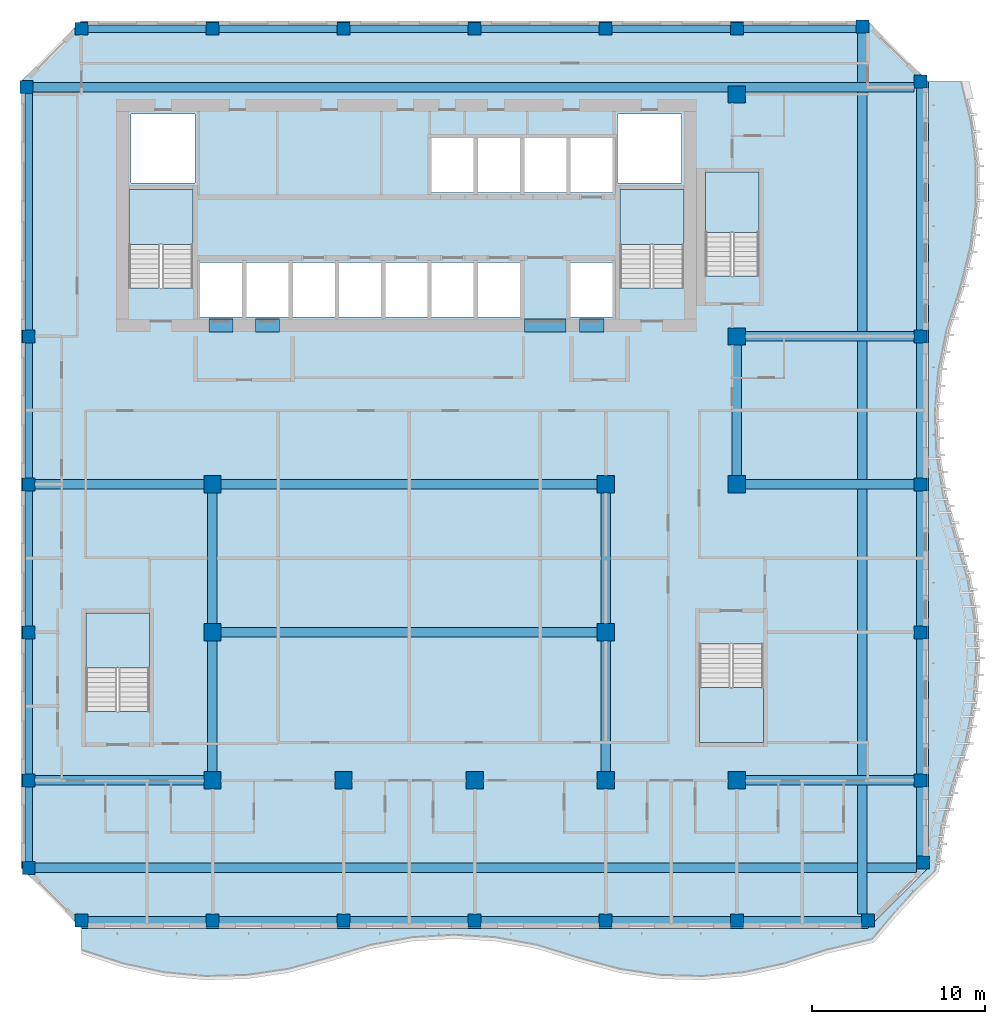
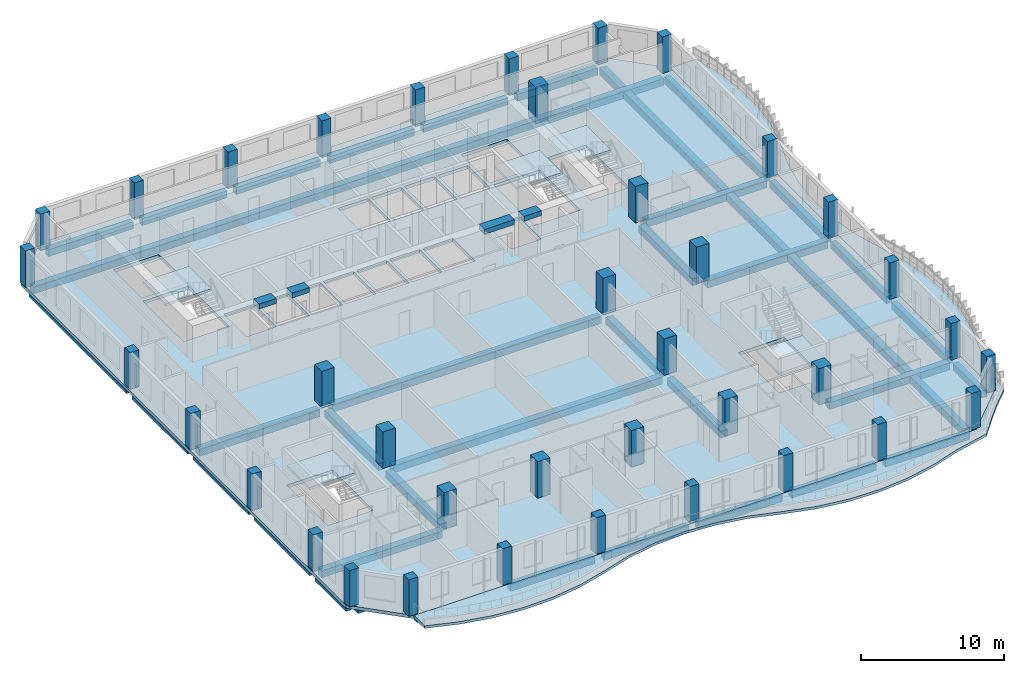
# One storey, part 1 of 22: 41 beams, 38 columns, 7 slabs, 5 elements without a shape of their own.
"""IFC4 building model written with IfcOpenShell, lengths in metres."""

import ifcopenshell
import ifcopenshell.guid

model = None  # the IFC model being written
_history = None  # IfcOwnerHistory: only IFC2X3 demands one
_inside = {}  # id of a spatial element -> (the spatial element, [elements in it])
_under = {}  # id of a project, library or spatial element -> (it, [spatial elements below it])
_declared = {}  # id of a project -> (the project, [libraries it declares])
_typed = {}  # id of a type object -> (the type object, [elements of that type])
_made_of = {}  # id of a material, layer set ... -> (it, [elements and type objects made of it])


def new_model(schema):
    """Start an empty IFC model of exactly this schema.

    Asked for "IFC4X3", IfcOpenShell would pick the latest addendum, in which some entities
    have other attributes; the version numbers below select the first issue.
    IFC2X3 requires an IfcOwnerHistory on every rooted entity: one is made here for all.
    """
    global model, _history
    if schema == "IFC4X3":
        model = ifcopenshell.file(schema_version=(4, 3, 0, 0))
    else:
        model = ifcopenshell.file(schema=schema)
    _inside.clear()
    _under.clear()
    _declared.clear()
    _typed.clear()
    _made_of.clear()
    _history = None
    if model.schema == "IFC2X3":
        org = make("IfcOrganization", Name="unknown")
        user = make(
            "IfcPersonAndOrganization",
            ThePerson=make("IfcPerson", FamilyName="unknown"),
            TheOrganization=org,
        )
        app = make(
            "IfcApplication",
            ApplicationDeveloper=org,
            Version="unknown",
            ApplicationFullName="unknown",
            ApplicationIdentifier="unknown",
        )
        _history = make(
            "IfcOwnerHistory",
            OwningUser=user,
            OwningApplication=app,
            ChangeAction="ADDED",
            CreationDate=0,
        )
    return model


def make(cls, **values):
    """One entity of the class cls with the attributes given. An attribute that is None is left unset."""
    return model.create_entity(
        cls, **{name: value for name, value in values.items() if value is not None}
    )


def rooted(cls, **values):
    """An entity with a GlobalId (a new one), such as an element, a storey or a relation."""
    return make(cls, GlobalId=ifcopenshell.guid.new(), OwnerHistory=_history, **values)


def si_unit(unit_type, name, prefix=None):
    """IfcSIUnit, for example si_unit("LENGTHUNIT", "METRE", prefix="MILLI")."""
    return make("IfcSIUnit", UnitType=unit_type, Prefix=prefix, Name=name)


def assignment(units):
    """IfcUnitAssignment: the units of a project."""
    return None if units is None else make("IfcUnitAssignment", Units=units)


def point(xyz):
    """IfcCartesianPoint."""
    return None if xyz is None else make("IfcCartesianPoint", Coordinates=xyz)


def direction(xyz):
    """IfcDirection."""
    return None if xyz is None else make("IfcDirection", DirectionRatios=xyz)


def frame(location, z_axis=None, x_axis=None):
    """IfcAxis2Placement3D, a coordinate frame: its origin and axes. An axis left out is left unset."""
    return make(
        "IfcAxis2Placement3D",
        Location=point(location),
        Axis=direction(z_axis),
        RefDirection=direction(x_axis),
    )


def frame_2d(location, x_axis=None):
    """IfcAxis2Placement2D, a coordinate frame in the plane: its origin and x axis."""
    return make(
        "IfcAxis2Placement2D", Location=point(location), RefDirection=direction(x_axis)
    )


def origin():
    """The frame at (0, 0, 0) with its axes left unset."""
    return frame((0.0, 0.0, 0.0))


def origin_2d():
    """The frame at (0, 0) in the plane with its x axis left unset."""
    return frame_2d((0.0, 0.0))


def place(relative_to, where):
    """IfcLocalPlacement: puts the frame where relative to a parent placement (None: the world)."""
    return make(
        "IfcLocalPlacement", PlacementRelTo=relative_to, RelativePlacement=where
    )


def context(
    kind, dimensions, precision=None, world=None, true_north=None, identifier=None
):
    """IfcGeometricRepresentationContext, for example the 3D "Model" context."""
    return make(
        "IfcGeometricRepresentationContext",
        ContextIdentifier=identifier,
        ContextType=kind,
        CoordinateSpaceDimension=dimensions,
        Precision=precision,
        WorldCoordinateSystem=world,
        TrueNorth=true_north,
    )


def subcontext(parent, identifier, kind, view, scale=None):
    """IfcGeometricRepresentationSubContext, for example "Body" below "Model"."""
    return make(
        "IfcGeometricRepresentationSubContext",
        ContextIdentifier=identifier,
        ContextType=kind,
        ParentContext=parent,
        TargetScale=scale,
        TargetView=view,
    )


def project(units=None, contexts=None):
    """IfcProject with its units and contexts."""
    return rooted(
        "IfcProject",
        Name="project",
        RepresentationContexts=contexts,
        UnitsInContext=assignment(units),
    )


def spatial(cls, under=None, at=None, **own):
    """A site, building, storey or space (cls), placed at a placement, below another one or the project."""
    s = rooted(cls, ObjectPlacement=at, **own)
    if under is not None:
        _under.setdefault(under.id(), (under, []))[1].append(s)
    return s


def polyline(points):
    """IfcPolyline through the points."""
    return make("IfcPolyline", Points=[point(p) for p in points])


def profile(cls, at=None, kind="AREA", **sizes):
    """A parametric profile (cls). Its sizes go by their IFC names, for example OverallWidth=200.0."""
    return make(cls, ProfileType=kind, Position=at, **sizes)


def rectangle(**sizes):
    """IfcRectangleProfileDef."""
    return profile("IfcRectangleProfileDef", **sizes)


def outline(outer, holes=None, kind="AREA"):
    """IfcArbitraryClosedProfileDef: a profile drawn as a closed curve; with holes, ...WithVoids."""
    if holes is None:
        return make("IfcArbitraryClosedProfileDef", ProfileType=kind, OuterCurve=outer)
    return make(
        "IfcArbitraryProfileDefWithVoids",
        ProfileType=kind,
        OuterCurve=outer,
        InnerCurves=holes,
    )


def extrude(swept, where, along, depth):
    """IfcExtrudedAreaSolid: the profile swept, set in the frame where, extruded along a direction by depth."""
    return make(
        "IfcExtrudedAreaSolid",
        SweptArea=swept,
        Position=where,
        ExtrudedDirection=direction(along),
        Depth=depth,
    )


def shape(context_of_items, identifier, shape_type, items):
    """IfcShapeRepresentation: the items that make up one representation, for example the "Body"."""
    return make(
        "IfcShapeRepresentation",
        ContextOfItems=context_of_items,
        RepresentationIdentifier=identifier,
        RepresentationType=shape_type,
        Items=items,
    )


def source(mapping_origin, context_of_items, identifier, shape_type, items):
    """IfcRepresentationMap: a shape defined once, which mapped items show again and again."""
    return make(
        "IfcRepresentationMap",
        MappingOrigin=mapping_origin,
        MappedRepresentation=shape(context_of_items, identifier, shape_type, items),
    )


def transform(
    local_origin,
    x_axis=None,
    y_axis=None,
    z_axis=None,
    scale=None,
    scale2=None,
    scale3=None,
    uniform=True,
):
    """IfcCartesianTransformationOperator3D, or its non-uniform kind. x_axis, y_axis, z_axis: its Axis1, 2, 3."""
    if uniform:
        return make(
            "IfcCartesianTransformationOperator3D",
            Axis1=direction(x_axis),
            Axis2=direction(y_axis),
            LocalOrigin=point(local_origin),
            Scale=scale,
            Axis3=direction(z_axis),
        )
    return make(
        "IfcCartesianTransformationOperator3DnonUniform",
        Axis1=direction(x_axis),
        Axis2=direction(y_axis),
        LocalOrigin=point(local_origin),
        Scale=scale,
        Axis3=direction(z_axis),
        Scale2=scale2,
        Scale3=scale3,
    )


def mapped(mapping_source, mapping_target):
    """IfcMappedItem: shows the shape of a source again, moved by a transform."""
    return make(
        "IfcMappedItem", MappingSource=mapping_source, MappingTarget=mapping_target
    )


def material(Name=None, Category=None):
    """IfcMaterial."""
    return make("IfcMaterial", Name=Name, Category=Category)


def layer(
    of_material, thickness, ventilated=None, Name=None, Category=None, Priority=None
):
    """IfcMaterialLayer: one layer of a wall or slab, of a material (None: an air gap)."""
    return make(
        "IfcMaterialLayer",
        Material=of_material,
        LayerThickness=thickness,
        IsVentilated=ventilated,
        Name=Name,
        Category=Category,
        Priority=Priority,
    )


def layer_set(layers, Name=None):
    """IfcMaterialLayerSet."""
    return make("IfcMaterialLayerSet", MaterialLayers=layers, LayerSetName=Name)


def material_profile(
    of_material, cross_section, Name=None, Category=None, Priority=None
):
    """IfcMaterialProfile: a cross section and its material."""
    return make(
        "IfcMaterialProfile",
        Name=Name,
        Material=of_material,
        Profile=cross_section,
        Priority=Priority,
        Category=Category,
    )


def profile_set(profiles, Name=None, composite=None):
    """IfcMaterialProfileSet."""
    return make(
        "IfcMaterialProfileSet",
        Name=Name,
        MaterialProfiles=profiles,
        CompositeProfile=composite,
    )


def made_of(thing, what):
    """Note that an element or type object is made of a material, layer set ...; save() writes the relation."""
    if what is not None:
        _made_of.setdefault(what.id(), (what, []))[1].append(thing)
    return thing


def type_object(cls, material=None, **own):
    """A type object (cls), such as IfcWallType, which elements share."""
    return made_of(rooted(cls, **own), material)


def element(
    cls,
    number,
    at=None,
    inside=None,
    cuts=None,
    type_object=None,
    material=None,
    context=None,
    identifier="Body",
    shape_type=None,
    held_by="IfcProductDefinitionShape",
    body=None,
    shapes=None,
    **own,
):
    """One element of the class cls, such as IfcWall. Its Tag is "e" and its number.

    at: its placement. inside: the storey or other place that contains it. cuts: it is an
    opening in that element (IfcRelVoidsElement). A single representation is given by context,
    identifier, shape_type and body (its items); several are given by shapes. held_by: the class
    of the entity that holds the representations. save() writes the other relations.
    """
    e = rooted(cls, Tag="e%d" % number, ObjectPlacement=at, **own)
    if body is not None:
        shapes = [shape(context, identifier, shape_type, body)]
    if shapes is not None:
        e.Representation = make(held_by, Representations=shapes)
    if inside is not None:
        _inside.setdefault(inside.id(), (inside, []))[1].append(e)
    if cuts is not None:
        rooted(
            "IfcRelVoidsElement", RelatingBuildingElement=cuts, RelatedOpeningElement=e
        )
    if type_object is not None:
        _typed.setdefault(type_object.id(), (type_object, []))[1].append(e)
    return made_of(e, material)


def aggregate(whole, parts):
    """IfcRelAggregates: a whole, such as a stair, and the parts it consists of."""
    return rooted("IfcRelAggregates", RelatingObject=whole, RelatedObjects=parts)


def save(model, path):
    """Write the relations noted so far, then the file.

    IfcRelAggregates (storeys below a building ...), IfcRelContainedInSpatialStructure (elements
    in a storey), IfcRelDefinesByType, IfcRelAssociatesMaterial and IfcRelDeclares: one each for
    every whole, place, type object, material and project.
    """
    for whole, parts in _under.values():
        aggregate(whole, parts)
    for where, things in _inside.values():
        rooted(
            "IfcRelContainedInSpatialStructure",
            RelatedElements=things,
            RelatingStructure=where,
        )
    for kind, things in _typed.values():
        rooted("IfcRelDefinesByType", RelatedObjects=things, RelatingType=kind)
    for what, things in _made_of.values():
        rooted("IfcRelAssociatesMaterial", RelatedObjects=things, RelatingMaterial=what)
    for by, libraries in _declared.values():
        rooted("IfcRelDeclares", RelatingContext=by, RelatedDefinitions=libraries)
    model.write(path)


model = new_model("IFC4")

# Units and contexts
model_context = context("Model", 3, precision=1e-05, world=origin(), true_north=direction((0.0, 1.0)))
body_context = subcontext(model_context, "Body", "Model", "MODEL_VIEW")
ifc_project = project(units=[si_unit("LENGTHUNIT", "METRE"), si_unit("AREAUNIT", "SQUARE_METRE"), si_unit("VOLUMEUNIT", "CUBIC_METRE"), si_unit("PLANEANGLEUNIT", "RADIAN"), si_unit("MASSUNIT", "GRAM", prefix="KILO")], contexts=[model_context])

# Site, building, storey
site_placement = place(None, origin())
site = spatial("IfcSite", under=ifc_project, at=site_placement, CompositionType="ELEMENT")
building_placement = place(site_placement, origin())
building = spatial("IfcBuilding", under=site, at=building_placement, Name="Kilnfold Tower and Market Hall", CompositionType="ELEMENT")
storey_placement = place(building_placement, frame((0.0, 0.0, 213.5)))
storey = spatial("IfcBuildingStorey", under=building, at=storey_placement, Name="L52", CompositionType="ELEMENT", Elevation=213.5)

# Columns
ifc_material_1 = material(Name="Concrete C70", Category="concrete")
ifc_material_profile_1 = material_profile(ifc_material_1, rectangle(XDim=0.75, YDim=0.75, at=origin_2d()), Name="RC 750x750")
ifc_profile_set_1 = profile_set([ifc_material_profile_1], Name="Concrete C70")
column_type_1 = type_object("IfcColumnType", Name="COLUMN 750X750 C70", PredefinedType="COLUMN", material=ifc_profile_set_1)
shared_shape_1 = source(origin(), body_context, "Body", "SweptSolid", [
    extrude(rectangle(XDim=0.75, YDim=0.75, at=origin_2d()), origin(), (0.0, 0.0, 1.0), 3.1201171875),
])
for number, where, z_axis, x_axis, name in (
    (1, (-20.931884765625, 22.431884765625, 0.0), (0.0, 0.0, 1.0), (1.0, 0.0, 0.0), "Column C-B6-1H"),
    (2, (-20.800048828125, -22.75, 0.0), (0.0, 0.0, 1.0), (1.0, 0.0, 0.0), "Column C-B6-1B"),
    (3, (-20.800048828125, -17.6875, 0.0), (0.0, 0.0, 1.0), (1.0, 0.0, 0.0), "Column C-B6-1C"),
    (4, (-20.800048828125, -9.125, 0.0), (0.0, 0.0, 1.0), (1.0, 0.0, 0.0), "Column C-B6-1D"),
    (5, (-20.800048828125, -0.5625, 0.0), (0.0, 0.0, 1.0), (1.0, 0.0, 0.0), "Column C-B6-1E"),
    (6, (-20.800048828125, 8.0, 0.0), (0.0, 0.0, 1.0), (1.0, 0.0, 0.0), "Column C-B6-1F"),
    (7, (-17.75, -25.800048828125, 0.0), (0.0, 0.0, 1.0), (1.0, 0.0, 0.0), "Column C-B6-2A"),
    (8, (-17.75, 25.800048828125, 0.0), (0.0, 0.0, 1.0), (1.0, 0.0, 0.0), "Column C-B6-2I"),
    (9, (-10.166748046875, -25.800048828125, 0.0), (0.0, 0.0, 1.0), (1.0, 0.0, 0.0), "Column C-B6-3A"),
    (10, (-10.166748046875, 25.800048828125, 0.0), (0.0, 0.0, 1.0), (1.0, 0.0, 0.0), "Column C-B6-3I"),
    (11, (-2.583251953125, -25.800048828125, 0.0), (0.0, 0.0, 1.0), (1.0, 0.0, 0.0), "Column C-B6-4A"),
    (12, (-2.583251953125, 25.800048828125, 0.0), (0.0, 0.0, 1.0), (1.0, 0.0, 0.0), "Column C-B6-4I"),
    (13, (5.0, -25.800048828125, 0.0), (0.0, 0.0, 1.0), (1.0, 0.0, 0.0), "Column C-B6-5A"),
    (14, (5.0, 25.800048828125, 0.0), (0.0, 0.0, 1.0), (1.0, 0.0, 0.0), "Column C-B6-5I"),
    (15, (12.583251953125, -25.800048828125, 0.0), (0.0, 0.0, 1.0), (1.0, 0.0, 0.0), "Column C-B6-6A"),
    (16, (12.583251953125, 25.800048828125, 0.0), (0.0, 0.0, 1.0), (1.0, 0.0, 0.0), "Column C-B6-6I"),
    (17, (20.166748046875, -25.800048828125, 0.0), (0.0, 0.0, 1.0), (1.0, 0.0, 0.0), "Column C-B6-7A"),
    (18, (20.166748046875, 25.800048828125, 0.0), (0.0, 0.0, 1.0), (1.0, 0.0, 0.0), "Column C-B6-7I"),
    (19, (27.431884765625, 25.931884765625, 0.0), (0.0, 0.0, 1.0), (1.0, 0.0, 0.0), "Column C-B6-8I"),
    (20, (27.75, -25.800048828125, 0.0), (0.0, 0.0, 1.0), (1.0, 0.0, 0.0), "Column C-B6-8A"),
    (21, (30.800048828125, -17.6875, 0.0), (0.0, 0.0, 1.0), (1.0, 0.0, 0.0), "Column C-B6-9C"),
    (22, (30.800048828125, -9.125, 0.0), (0.0, 0.0, 1.0), (1.0, 0.0, 0.0), "Column C-B6-9D"),
    (23, (30.800048828125, -0.5625, 0.0), (0.0, 0.0, 1.0), (1.0, 0.0, 0.0), "Column C-B6-9E"),
    (24, (30.800048828125, 8.0, 0.0), (0.0, 0.0, 1.0), (1.0, 0.0, 0.0), "Column C-B6-9F"),
    (25, (30.800048828125, 22.75, 0.0), (0.0, 0.0, 1.0), (1.0, 0.0, 0.0), "Column C-B6-9H"),
    (26, (30.931884765625, -22.431884765625, 0.0), (0.0, 0.0, 1.0), (1.0, 0.0, 0.0), "Column C-B6-9B"),
):
    element("IfcColumn", number, at=place(storey_placement, frame(where, z_axis=z_axis, x_axis=x_axis)), inside=storey, type_object=column_type_1, Name=name, PredefinedType="COLUMN", context=body_context, shape_type="MappedRepresentation", body=[
        mapped(shared_shape_1, transform((0.0, 0.0, 0.0))),
    ])
ifc_material_2 = material(Name="Concrete C70", Category="concrete")
ifc_material_profile_2 = material_profile(ifc_material_2, rectangle(XDim=1.0, YDim=1.0, at=origin_2d()), Name="RC 1000x1000")
ifc_profile_set_2 = profile_set([ifc_material_profile_2], Name="Concrete C70")
column_type_2 = type_object("IfcColumnType", Name="COLUMN 1000X1000 C70", PredefinedType="COLUMN", material=ifc_profile_set_2)
shared_shape_2 = source(origin(), body_context, "Body", "SweptSolid", [
    extrude(rectangle(XDim=1.0, YDim=1.0, at=origin_2d()), origin(), (0.0, 0.0, 1.0), 3.1201171875),
])
for number, where, z_axis, x_axis, name in (
    (27, (-10.166748046875, -17.6875, 0.0), (0.0, 0.0, 1.0), (1.0, 0.0, 0.0), "Column C-B6-3C"),
    (28, (-10.166748046875, -9.125, 0.0), (0.0, 0.0, 1.0), (1.0, 0.0, 0.0), "Column C-B6-3D"),
    (29, (-10.166748046875, -0.5625, 0.0), (0.0, 0.0, 1.0), (1.0, 0.0, 0.0), "Column C-B6-3E"),
    (30, (-2.583251953125, -17.6875, 0.0), (0.0, 0.0, 1.0), (1.0, 0.0, 0.0), "Column C-B6-4C"),
    (31, (5.0, -17.6875, 0.0), (0.0, 0.0, 1.0), (1.0, 0.0, 0.0), "Column C-B6-5C"),
    (32, (12.583251953125, -17.6875, 0.0), (0.0, 0.0, 1.0), (1.0, 0.0, 0.0), "Column C-B6-6C"),
    (33, (12.583251953125, -9.125, 0.0), (0.0, 0.0, 1.0), (1.0, 0.0, 0.0), "Column C-B6-6D"),
    (34, (12.583251953125, -0.5625, 0.0), (0.0, 0.0, 1.0), (1.0, 0.0, 0.0), "Column C-B6-6E"),
    (35, (20.166748046875, -17.6875, 0.0), (0.0, 0.0, 1.0), (1.0, 0.0, 0.0), "Column C-B6-7C"),
    (36, (20.166748046875, -0.5625, 0.0), (0.0, 0.0, 1.0), (1.0, 0.0, 0.0), "Column C-B6-7E"),
    (37, (20.166748046875, 8.0, 0.0), (0.0, 0.0, 1.0), (1.0, 0.0, 0.0), "Column C-B6-7F"),
    (38, (20.166748046875, 22.0, 0.0), (0.0, 0.0, 1.0), (1.0, 0.0, 0.0), "Column C-B6-7G"),
):
    element("IfcColumn", number, at=place(storey_placement, frame(where, z_axis=z_axis, x_axis=x_axis)), inside=storey, type_object=column_type_2, Name=name, PredefinedType="COLUMN", context=body_context, shape_type="MappedRepresentation", body=[
        mapped(shared_shape_2, transform((0.0, 0.0, 0.0))),
    ])

# Beams
ifc_material_3 = material(Name="Concrete C45", Category="concrete")
ifc_material_profile_3 = material_profile(ifc_material_3, rectangle(XDim=0.550048828125, YDim=0.60009765625, at=origin_2d()), Name="RC 550x600")
ifc_profile_set_3 = profile_set([ifc_material_profile_3], Name="Concrete C45")
beam_type_1 = type_object("IfcBeamType", Name="BEAM 550X600 C45", PredefinedType="BEAM", material=ifc_profile_set_3)
shared_shape_3 = source(origin(), body_context, "Body", "SweptSolid", [
    extrude(rectangle(XDim=0.550048828125, YDim=0.60009765625, at=origin_2d()), origin(), (0.0, 0.0, 1.0), 21.75),
])
for number, where, z_axis, x_axis, name in (
    (39, (-9.666748046875, -9.1201171875, -0.580078125), (1.0, 0.0, 0.0), (0.0, 1.0, 0.0), "Beam BB600-B6.48"),
    (40, (-9.666748046875, -0.56005859375, -0.580078125), (1.0, 0.0, 0.0), (0.0, 1.0, 0.0), "Beam BB600-B6.50"),
):
    element("IfcBeam", number, at=place(storey_placement, frame(where, z_axis=z_axis, x_axis=x_axis)), inside=storey, type_object=beam_type_1, Name=name, PredefinedType="BEAM", context=body_context, shape_type="MappedRepresentation", body=[
        mapped(shared_shape_3, transform((0.0, 0.0, 0.0))),
    ])
ifc_material_4 = material(Name="Concrete C60", Category="concrete")
ifc_material_profile_4 = material_profile(ifc_material_4, rectangle(XDim=0.75, YDim=0.419921875, at=origin_2d()), Name="RC 750x420")
ifc_profile_set_4 = profile_set([ifc_material_profile_4], Name="Concrete C60")
beam_type_2 = type_object("IfcBeamType", Name="COUPLING BEAM 750X420 C60", PredefinedType="BEAM", material=ifc_profile_set_4)
shared_shape_4 = source(origin(), body_context, "Body", "SweptSolid", [
    extrude(rectangle(XDim=0.75, YDim=0.419921875, at=origin_2d()), origin(), (0.0, 0.0, 1.0), 1.400146484375),
])
beam_1_placement = place(storey_placement, frame((-10.3701171875, 8.625, 2.909912109375), z_axis=(1.0, 0.0, 0.0), x_axis=(0.0, 1.0, 0.0)))
element("IfcBeam", 41, at=beam_1_placement, inside=storey, type_object=beam_type_2, Name="Coupling beam CB420-60-CORE.37", PredefinedType="BEAM", context=body_context, shape_type="MappedRepresentation", body=[
    mapped(shared_shape_4, transform((0.0, 0.0, 0.0))),
])
shared_shape_5 = source(origin(), body_context, "Body", "SweptSolid", [
    extrude(rectangle(XDim=0.75, YDim=0.419921875, at=origin_2d()), origin(), (0.0, 0.0, 1.0), 1.39990234375),
])
for number, where, z_axis, x_axis, name in (
    (42, (-7.68994140625, 8.625, 2.909912109375), (1.0, 0.0, 0.0), (0.0, 1.0, 0.0), "Coupling beam CB420-60-CORE.38"),
    (43, (11.070068359375, 8.625, 2.909912109375), (1.0, 0.0, 0.0), (0.0, 1.0, 0.0), "Coupling beam CB420-60-CORE.40"),
):
    element("IfcBeam", number, at=place(storey_placement, frame(where, z_axis=z_axis, x_axis=x_axis)), inside=storey, type_object=beam_type_2, Name=name, PredefinedType="BEAM", context=body_context, shape_type="MappedRepresentation", body=[
        mapped(shared_shape_5, transform((0.0, 0.0, 0.0))),
    ])
shared_shape_6 = source(origin(), body_context, "Body", "SweptSolid", [
    extrude(rectangle(XDim=0.75, YDim=0.419921875, at=origin_2d()), origin(), (0.0, 0.0, 1.0), 2.400146484375),
])
beam_2_placement = place(storey_placement, frame((7.889892578125, 8.625, 2.909912109375), z_axis=(1.0, 0.0, 0.0), x_axis=(0.0, 1.0, 0.0)))
element("IfcBeam", 44, at=beam_2_placement, inside=storey, type_object=beam_type_2, Name="Coupling beam CB420-60-CORE.39", PredefinedType="BEAM", context=body_context, shape_type="MappedRepresentation", body=[
    mapped(shared_shape_6, transform((0.0, 0.0, 0.0))),
])
ifc_material_5 = material(Name="Concrete C45", Category="concrete")
ifc_material_profile_5 = material_profile(ifc_material_5, rectangle(XDim=0.449951171875, YDim=0.60009765625, at=origin_2d()), Name="RC 450x600")
ifc_profile_set_5 = profile_set([ifc_material_profile_5], Name="Concrete C45")
beam_type_3 = type_object("IfcBeamType", Name="EDGE BEAM 450X600 C45", PredefinedType="BEAM", material=ifc_profile_set_5)
shared_shape_7 = source(origin(), body_context, "Body", "SweptSolid", [
    extrude(rectangle(XDim=0.449951171875, YDim=0.60009765625, at=origin_2d()), origin(), (0.0, 0.0, 1.0), 13.681884765625),
])
beam_3_placement = place(storey_placement, frame((-20.800048828125, 8.375, -0.580078125), z_axis=(0.0, 1.0, 0.0), x_axis=(-1.0, 0.0, 0.0)))
element("IfcBeam", 45, at=beam_3_placement, inside=storey, type_object=beam_type_3, Name="Beam EB600-B6.33", PredefinedType="BEAM", context=body_context, shape_type="MappedRepresentation", body=[
    mapped(shared_shape_7, transform((0.0, 0.0, 0.0))),
])
shared_shape_8 = source(origin(), body_context, "Body", "SweptSolid", [
    extrude(rectangle(XDim=0.449951171875, YDim=0.60009765625, at=origin_2d()), origin(), (0.0, 0.0, 1.0), 6.833251953125),
])
for number, where, z_axis, x_axis, name in (
    (46, (-17.375, -25.800048828125, -0.580078125), (1.0, 0.0, 0.0), (0.0, 1.0, 0.0), "Beam EB600-B6.39"),
    (47, (-2.208251953125, -25.800048828125, -0.580078125), (1.0, 0.0, 0.0), (0.0, 1.0, 0.0), "Beam EB600-B6.41"),
    (48, (5.375, -25.800048828125, -0.580078125), (1.0, 0.0, 0.0), (0.0, 1.0, 0.0), "Beam EB600-B6.42"),
    (49, (20.541748046875, -25.800048828125, -0.580078125), (1.0, 0.0, 0.0), (0.0, 1.0, 0.0), "Beam EB600-B6.44"),
    (50, (-17.375, 25.800048828125, -0.580078125), (1.0, 0.0, 0.0), (0.0, 1.0, 0.0), "Beam EB600-B6.54"),
    (51, (-2.208251953125, 25.800048828125, -0.580078125), (1.0, 0.0, 0.0), (0.0, 1.0, 0.0), "Beam EB600-B6.56"),
    (52, (5.375, 25.800048828125, -0.580078125), (1.0, 0.0, 0.0), (0.0, 1.0, 0.0), "Beam EB600-B6.57"),
):
    element("IfcBeam", number, at=place(storey_placement, frame(where, z_axis=z_axis, x_axis=x_axis)), inside=storey, type_object=beam_type_3, Name=name, PredefinedType="BEAM", context=body_context, shape_type="MappedRepresentation", body=[
        mapped(shared_shape_8, transform((0.0, 0.0, 0.0))),
    ])
shared_shape_9 = source(origin(), body_context, "Body", "SweptSolid", [
    extrude(rectangle(XDim=0.449951171875, YDim=0.60009765625, at=origin_2d()), origin(), (0.0, 0.0, 1.0), 6.83349609375),
])
for number, where, z_axis, x_axis, name in (
    (53, (-9.791748046875, -25.800048828125, -0.580078125), (1.0, 0.0, 0.0), (0.0, 1.0, 0.0), "Beam EB600-B6.40"),
    (54, (12.958251953125, -25.800048828125, -0.580078125), (1.0, 0.0, 0.0), (0.0, 1.0, 0.0), "Beam EB600-B6.43"),
    (55, (-9.791748046875, 25.800048828125, -0.580078125), (1.0, 0.0, 0.0), (0.0, 1.0, 0.0), "Beam EB600-B6.55"),
    (56, (12.958251953125, 25.800048828125, -0.580078125), (1.0, 0.0, 0.0), (0.0, 1.0, 0.0), "Beam EB600-B6.58"),
):
    element("IfcBeam", number, at=place(storey_placement, frame(where, z_axis=z_axis, x_axis=x_axis)), inside=storey, type_object=beam_type_3, Name=name, PredefinedType="BEAM", context=body_context, shape_type="MappedRepresentation", body=[
        mapped(shared_shape_9, transform((0.0, 0.0, 0.0))),
    ])
shared_shape_10 = source(origin(), body_context, "Body", "SweptSolid", [
    extrude(rectangle(XDim=0.550048828125, YDim=0.60009765625, at=origin_2d()), origin(), (0.0, 0.0, 1.0), 50.98193359375),
])
for number, where, z_axis, x_axis, name in (
    (57, (-20.425048828125, -22.75, -0.580078125), (1.0, 0.0, 0.0), (0.0, 1.0, 0.0), "Beam BB600-B6.45"),
    (58, (-20.556884765625, 22.429931640625, -0.580078125), (1.0, 0.0, 0.0), (0.0, 1.0, 0.0), "Beam BB600-B6.53"),
    (59, (27.429931640625, -25.425048828125, -0.580078125), (0.0, 1.0, 0.0), (-1.0, 0.0, 0.0), "Beam BB600-B6.69"),
):
    element("IfcBeam", number, at=place(storey_placement, frame(where, z_axis=z_axis, x_axis=x_axis)), inside=storey, type_object=beam_type_1, Name=name, PredefinedType="BEAM", context=body_context, shape_type="MappedRepresentation", body=[
        mapped(shared_shape_10, transform((0.0, 0.0, 0.0))),
    ])
shared_shape_11 = source(origin(), body_context, "Body", "SweptSolid", [
    extrude(rectangle(XDim=0.550048828125, YDim=0.60009765625, at=origin_2d()), origin(), (0.0, 0.0, 1.0), 9.75830078125),
])
for number, where, z_axis, x_axis, name in (
    (60, (-20.425048828125, -17.68994140625, -0.580078125), (1.0, 0.0, 0.0), (0.0, 1.0, 0.0), "Beam BB600-B6.46"),
    (61, (20.666748046875, -17.68994140625, -0.580078125), (1.0, 0.0, 0.0), (0.0, 1.0, 0.0), "Beam BB600-B6.47"),
    (62, (-20.425048828125, -0.56005859375, -0.580078125), (1.0, 0.0, 0.0), (0.0, 1.0, 0.0), "Beam BB600-B6.49"),
    (63, (20.666748046875, -0.56005859375, -0.580078125), (1.0, 0.0, 0.0), (0.0, 1.0, 0.0), "Beam BB600-B6.51"),
    (64, (20.666748046875, 8.0, -0.580078125), (1.0, 0.0, 0.0), (0.0, 1.0, 0.0), "Beam BB600-B6.52"),
):
    element("IfcBeam", number, at=place(storey_placement, frame(where, z_axis=z_axis, x_axis=x_axis)), inside=storey, type_object=beam_type_1, Name=name, PredefinedType="BEAM", context=body_context, shape_type="MappedRepresentation", body=[
        mapped(shared_shape_11, transform((0.0, 0.0, 0.0))),
    ])
shared_shape_12 = source(origin(), body_context, "Body", "SweptSolid", [
    extrude(rectangle(XDim=0.449951171875, YDim=0.60009765625, at=origin_2d()), origin(), (0.0, 0.0, 1.0), 6.51513671875),
])
beam_4_placement = place(storey_placement, frame((20.541748046875, 25.800048828125, -0.580078125), z_axis=(1.0, 0.0, 0.0), x_axis=(0.0, 1.0, 0.0)))
element("IfcBeam", 65, at=beam_4_placement, inside=storey, type_object=beam_type_3, Name="Beam EB600-B6.59", PredefinedType="BEAM", context=body_context, shape_type="MappedRepresentation", body=[
    mapped(shared_shape_12, transform((0.0, 0.0, 0.0))),
])
shared_shape_13 = source(origin(), body_context, "Body", "SweptSolid", [
    extrude(rectangle(XDim=0.449951171875, YDim=0.60009765625, at=origin_2d()), origin(), (0.0, 0.0, 1.0), 4.3125),
])
beam_5_placement = place(storey_placement, frame((-20.800048828125, -22.375, -0.580078125), z_axis=(0.0, 1.0, 0.0), x_axis=(-1.0, 0.0, 0.0)))
element("IfcBeam", 66, at=beam_5_placement, inside=storey, type_object=beam_type_3, Name="Beam EB600-B6.60", PredefinedType="BEAM", context=body_context, shape_type="MappedRepresentation", body=[
    mapped(shared_shape_13, transform((0.0, 0.0, 0.0))),
])
shared_shape_14 = source(origin(), body_context, "Body", "SweptSolid", [
    extrude(rectangle(XDim=0.449951171875, YDim=0.60009765625, at=origin_2d()), origin(), (0.0, 0.0, 1.0), 7.8125),
])
for number, where, z_axis, x_axis, name in (
    (67, (-20.800048828125, -17.3125, -0.580078125), (0.0, 1.0, 0.0), (-1.0, 0.0, 0.0), "Beam EB600-B6.61"),
    (68, (-20.800048828125, -8.75, -0.580078125), (0.0, 1.0, 0.0), (-1.0, 0.0, 0.0), "Beam EB600-B6.62"),
    (69, (-20.800048828125, -0.1875, -0.580078125), (0.0, 1.0, 0.0), (-1.0, 0.0, 0.0), "Beam EB600-B6.63"),
    (70, (30.800048828125, -17.3125, -0.580078125), (0.0, 1.0, 0.0), (-1.0, 0.0, 0.0), "Beam EB600-B6.71"),
    (71, (30.800048828125, -8.75, -0.580078125), (0.0, 1.0, 0.0), (-1.0, 0.0, 0.0), "Beam EB600-B6.72"),
    (72, (30.800048828125, -0.1875, -0.580078125), (0.0, 1.0, 0.0), (-1.0, 0.0, 0.0), "Beam EB600-B6.73"),
):
    element("IfcBeam", number, at=place(storey_placement, frame(where, z_axis=z_axis, x_axis=x_axis)), inside=storey, type_object=beam_type_3, Name=name, PredefinedType="BEAM", context=body_context, shape_type="MappedRepresentation", body=[
        mapped(shared_shape_14, transform((0.0, 0.0, 0.0))),
    ])
shared_shape_15 = source(origin(), body_context, "Body", "SweptSolid", [
    extrude(rectangle(XDim=0.550048828125, YDim=0.60009765625, at=origin_2d()), origin(), (0.0, 0.0, 1.0), 7.5625),
])
for number, where, z_axis, x_axis, name in (
    (73, (-10.169921875, -17.1875, -0.580078125), (0.0, 1.0, 0.0), (-1.0, 0.0, 0.0), "Beam BB600-B6.64"),
    (74, (-10.169921875, -8.625, -0.580078125), (0.0, 1.0, 0.0), (-1.0, 0.0, 0.0), "Beam BB600-B6.65"),
    (75, (12.580078125, -17.1875, -0.580078125), (0.0, 1.0, 0.0), (-1.0, 0.0, 0.0), "Beam BB600-B6.66"),
    (76, (12.580078125, -8.625, -0.580078125), (0.0, 1.0, 0.0), (-1.0, 0.0, 0.0), "Beam BB600-B6.67"),
    (77, (20.169921875, -0.0625, -0.580078125), (0.0, 1.0, 0.0), (-1.0, 0.0, 0.0), "Beam BB600-B6.68"),
):
    element("IfcBeam", number, at=place(storey_placement, frame(where, z_axis=z_axis, x_axis=x_axis)), inside=storey, type_object=beam_type_1, Name=name, PredefinedType="BEAM", context=body_context, shape_type="MappedRepresentation", body=[
        mapped(shared_shape_15, transform((0.0, 0.0, 0.0))),
    ])
shared_shape_16 = source(origin(), body_context, "Body", "SweptSolid", [
    extrude(rectangle(XDim=0.449951171875, YDim=0.60009765625, at=origin_2d()), origin(), (0.0, 0.0, 1.0), 3.994384765625),
])
beam_6_placement = place(storey_placement, frame((30.800048828125, -22.056884765625, -0.580078125), z_axis=(0.0, 1.0, 0.0), x_axis=(-1.0, 0.0, 0.0)))
element("IfcBeam", 78, at=beam_6_placement, inside=storey, type_object=beam_type_3, Name="Beam EB600-B6.70", PredefinedType="BEAM", context=body_context, shape_type="MappedRepresentation", body=[
    mapped(shared_shape_16, transform((0.0, 0.0, 0.0))),
])
shared_shape_17 = source(origin(), body_context, "Body", "SweptSolid", [
    extrude(rectangle(XDim=0.449951171875, YDim=0.60009765625, at=origin_2d()), origin(), (0.0, 0.0, 1.0), 14.0),
])
beam_7_placement = place(storey_placement, frame((30.800048828125, 8.375, -0.580078125), z_axis=(0.0, 1.0, 0.0), x_axis=(-1.0, 0.0, 0.0)))
element("IfcBeam", 79, at=beam_7_placement, inside=storey, type_object=beam_type_3, Name="Beam EB600-B6.74", PredefinedType="BEAM", context=body_context, shape_type="MappedRepresentation", body=[
    mapped(shared_shape_17, transform((0.0, 0.0, 0.0))),
])

# Slabs
ifc_material_6 = material(Name="Concrete C45", Category="concrete")
ifc_layer_1 = layer(ifc_material_6, 0.280029296875)
ifc_layer_set_1 = layer_set([ifc_layer_1], Name="Concrete C45")
slab_type_1 = type_object("IfcSlabType", Name="FLOOR SLAB 280", PredefinedType="FLOOR", material=ifc_layer_set_1)
shared_shape_18 = source(origin(), body_context, "Body", "SweptSolid", [
    extrude(outline(polyline([(-17.75, -26.25), (27.75, -26.25), (31.25, -22.75), (31.25, 22.75), (27.75, 26.25), (-17.75, 26.25), (-21.25, 22.75), (-21.25, -22.75), (-17.75, -26.25)]), holes=[polyline([(-13.800537109375, -13.699462890625), (-17.49951171875, -13.699462890625), (-17.49951171875, -8.00048828125), (-13.800537109375, -8.00048828125), (-13.800537109375, -13.699462890625)]), polyline([(-14.99951171875, 10.800537109375), (-14.99951171875, 16.49951171875), (-11.300537109375, 16.49951171875), (-11.300537109375, 10.800537109375), (-14.99951171875, 10.800537109375)]), polyline([(-11.175048828125, 16.875), (-14.875, 16.875), (-14.875, 20.875), (-11.175048828125, 20.875), (-11.175048828125, 16.875)]), polyline([(-8.455078125, 9.125), (-10.885009765625, 9.125), (-10.885009765625, 12.27490234375), (-8.455078125, 12.27490234375), (-8.455078125, 9.125)]), polyline([(-5.77490234375, 9.125), (-8.205078125, 9.125), (-8.205078125, 12.27490234375), (-5.77490234375, 12.27490234375), (-5.77490234375, 9.125)]), polyline([(-3.094970703125, 9.125), (-5.52490234375, 9.125), (-5.52490234375, 12.27490234375), (-3.094970703125, 12.27490234375), (-3.094970703125, 9.125)]), polyline([(-0.4150390625, 9.125), (-2.844970703125, 9.125), (-2.844970703125, 12.27490234375), (-0.4150390625, 12.27490234375), (-0.4150390625, 9.125)]), polyline([(2.264892578125, 9.125), (-0.1650390625, 9.125), (-0.1650390625, 12.27490234375), (2.264892578125, 12.27490234375), (2.264892578125, 9.125)]), polyline([(4.945068359375, 9.125), (2.514892578125, 9.125), (2.514892578125, 12.27490234375), (4.945068359375, 12.27490234375), (4.945068359375, 9.125)]), polyline([(2.514892578125, 16.324951171875), (2.514892578125, 19.47509765625), (4.945068359375, 19.47509765625), (4.945068359375, 16.324951171875), (2.514892578125, 16.324951171875)]), polyline([(7.625, 9.125), (5.195068359375, 9.125), (5.195068359375, 12.27490234375), (7.625, 12.27490234375), (7.625, 9.125)]), polyline([(7.625, 16.324951171875), (5.195068359375, 16.324951171875), (5.195068359375, 19.47509765625), (7.625, 19.47509765625), (7.625, 16.324951171875)]), polyline([(10.304931640625, 16.324951171875), (7.875, 16.324951171875), (7.875, 19.47509765625), (10.304931640625, 19.47509765625), (10.304931640625, 16.324951171875)]), polyline([(10.554931640625, 9.125), (10.554931640625, 12.27490234375), (12.985107421875, 12.27490234375), (12.985107421875, 9.125), (10.554931640625, 9.125)]), polyline([(10.554931640625, 16.324951171875), (10.554931640625, 19.47509765625), (12.985107421875, 19.47509765625), (12.985107421875, 16.324951171875), (10.554931640625, 16.324951171875)]), polyline([(13.27490234375, 16.875), (13.27490234375, 20.875), (16.97509765625, 20.875), (16.97509765625, 16.875), (13.27490234375, 16.875)]), polyline([(13.400390625, 10.800537109375), (13.400390625, 16.49951171875), (17.099609375, 16.49951171875), (17.099609375, 10.800537109375), (13.400390625, 10.800537109375)]), polyline([(18.00048828125, -9.800537109375), (21.699462890625, -9.800537109375), (21.699462890625, -15.49951171875), (18.00048828125, -15.49951171875), (18.00048828125, -9.800537109375)]), polyline([(21.449462890625, 11.50048828125), (18.3505859375, 11.50048828125), (18.3505859375, 17.49951171875), (21.449462890625, 17.49951171875), (21.449462890625, 11.50048828125)])]), origin(), (0.0, 0.0, 1.0), 0.280029296875),
])
slab_1_placement = place(storey_placement, frame((0.0, 0.0, -0.280029296875)))
element("IfcSlab", 80, at=slab_1_placement, inside=storey, type_object=slab_type_1, Name="Floor slab L52", PredefinedType="FLOOR", context=body_context, shape_type="MappedRepresentation", body=[
    mapped(shared_shape_18, transform((0.0, 0.0, 0.0))),
])
ifc_material_7 = material(Name="Concrete C40/50", Category="concrete")
ifc_layer_2 = layer(ifc_material_7, 0.219970703125)
ifc_layer_set_2 = layer_set([ifc_layer_2], Name="Concrete C40/50")
slab_type_2 = type_object("IfcSlabType", Name="BALCONY SLAB 220", PredefinedType="FLOOR", material=ifc_layer_set_2)
shared_shape_19 = source(origin(), body_context, "Body", "SweptSolid", [
    extrude(outline(polyline([(-17.75, -26.25), (27.75, -26.25), (31.25, -22.75), (31.25, 22.75), (33.37548828125, 22.75), (33.947509765625, 20.355224609375), (34.220703125, 17.96044921875), (34.20751953125, 15.56591796875), (33.906982421875, 13.171142578125), (33.305908203125, 10.7763671875), (32.535400390625, 8.381591796875), (32.0478515625, 5.98681640625), (31.8544921875, 3.592041015625), (31.946533203125, 1.197509765625), (32.328125, -1.197509765625), (33.0166015625, -3.592041015625), (33.729736328125, -5.98681640625), (34.13427734375, -8.381591796875), (34.24853515625, -10.7763671875), (34.077392578125, -13.171142578125), (33.613525390625, -15.56591796875), (32.854248046875, -17.96044921875), (32.228759765625, -20.355224609375), (31.855712890625, -23.0009765625), (30.508056640625, -24.34130859375), (29.398193359375, -25.564697265625), (28.093505859375, -27.07958984375), (25.355224609375, -27.716552734375), (22.96044921875, -28.495849609375), (20.56591796875, -29.01513671875), (18.171142578125, -29.23876953125), (15.7763671875, -29.176513671875), (13.381591796875, -28.82568359375), (10.98681640625, -28.170654296875), (8.592041015625, -27.429931640625), (6.197509765625, -26.994140625), (3.802490234375, -26.85009765625), (1.407958984375, -26.9912109375), (-0.98681640625, -27.423583984375), (-3.381591796875, -28.161865234375), (-5.7763671875, -28.8203125), (-8.171142578125, -29.17431640625), (-10.56591796875, -29.239501953125), (-12.96044921875, -29.01904296875), (-15.355224609375, -28.503173828125), (-17.75, -27.724365234375), (-17.75, -26.25)])), origin(), (0.0, 0.0, 1.0), 0.219970703125),
])
slab_2_placement = place(storey_placement, frame((0.0, 0.0, -0.219970703125)))
element("IfcSlab", 81, at=slab_2_placement, inside=storey, type_object=slab_type_2, Name="Balcony slab L52", PredefinedType="FLOOR", context=body_context, shape_type="MappedRepresentation", body=[
    mapped(shared_shape_19, transform((0.0, 0.0, 0.0))),
])

# Stair, slab
ifc_material_8 = material(Name="Concrete C40/50", Category="concrete")
stair_type_1 = type_object("IfcStairType", Name="CORE STAIR 1800", PredefinedType="HALF_TURN_STAIR", material=ifc_material_8)
stair_1_placement = place(storey_placement, origin())
stair_1 = element("IfcStair", 82, at=stair_1_placement, inside=storey, type_object=stair_type_1, Name="L52 ST1", PredefinedType="HALF_TURN_STAIR")
ifc_material_9 = material(Name="Concrete C40/50", Category="concrete")
ifc_layer_3 = layer(ifc_material_9, 0.199951171875)
ifc_layer_set_3 = layer_set([ifc_layer_3], Name="Concrete C40/50")
slab_type_3 = type_object("IfcSlabType", Name="CORE STAIR LANDING 200", PredefinedType="LANDING", material=ifc_layer_set_3)
shared_shape_20 = source(origin(), body_context, "Body", "SweptSolid", [
    extrude(outline(polyline([(-11.300048828125, 13.320068359375), (-11.300048828125, 16.5), (-15.0, 16.5), (-15.0, 13.320068359375), (-11.300048828125, 13.320068359375)])), origin(), (0.0, 0.0, 1.0), 0.199951171875),
])
slab_3_placement = place(storey_placement, frame((0.0, 0.0, 1.5)))
slab_3 = element("IfcSlab", 83, at=slab_3_placement, type_object=slab_type_3, Name="ST1 landing 1", PredefinedType="LANDING", context=body_context, shape_type="MappedRepresentation", body=[
    mapped(shared_shape_20, transform((0.0, 0.0, 0.0))),
])
aggregate(stair_1, [slab_3])

stair_2_placement = place(storey_placement, origin())
stair_2 = element("IfcStair", 84, at=stair_2_placement, inside=storey, type_object=stair_type_1, Name="L52 ST2", PredefinedType="HALF_TURN_STAIR")
shared_shape_21 = source(origin(), body_context, "Body", "SweptSolid", [
    extrude(outline(polyline([(17.10009765625, 13.320068359375), (17.10009765625, 16.5), (13.39990234375, 16.5), (13.39990234375, 13.320068359375), (17.10009765625, 13.320068359375)])), origin(), (0.0, 0.0, 1.0), 0.199951171875),
])
slab_4_placement = place(storey_placement, frame((0.0, 0.0, 1.5)))
slab_4 = element("IfcSlab", 85, at=slab_4_placement, type_object=slab_type_3, Name="ST2 landing 1", PredefinedType="LANDING", context=body_context, shape_type="MappedRepresentation", body=[
    mapped(shared_shape_21, transform((0.0, 0.0, 0.0))),
])
aggregate(stair_2, [slab_4])

stair_3_placement = place(storey_placement, origin())
stair_3 = element("IfcStair", 86, at=stair_3_placement, inside=storey, type_object=stair_type_1, Name="L52 ST3", PredefinedType="HALF_TURN_STAIR")
shared_shape_22 = source(origin(), body_context, "Body", "SweptSolid", [
    extrude(outline(polyline([(-13.800048828125, -11.179931640625), (-13.800048828125, -8.0), (-17.5, -8.0), (-17.5, -11.179931640625), (-13.800048828125, -11.179931640625)])), origin(), (0.0, 0.0, 1.0), 0.199951171875),
])
slab_5_placement = place(storey_placement, frame((0.0, 0.0, 1.5)))
slab_5 = element("IfcSlab", 87, at=slab_5_placement, type_object=slab_type_3, Name="ST3 landing 1", PredefinedType="LANDING", context=body_context, shape_type="MappedRepresentation", body=[
    mapped(shared_shape_22, transform((0.0, 0.0, 0.0))),
])
aggregate(stair_3, [slab_5])

stair_4_placement = place(storey_placement, origin())
stair_4 = element("IfcStair", 88, at=stair_4_placement, inside=storey, type_object=stair_type_1, Name="L52 ST4", PredefinedType="HALF_TURN_STAIR")
shared_shape_23 = source(origin(), body_context, "Body", "SweptSolid", [
    extrude(outline(polyline([(18.0, -12.320068359375), (18.0, -15.5), (21.699951171875, -15.5), (21.699951171875, -12.320068359375), (18.0, -12.320068359375)])), origin(), (0.0, 0.0, 1.0), 0.199951171875),
])
slab_6_placement = place(storey_placement, frame((0.0, 0.0, 1.5)))
slab_6 = element("IfcSlab", 89, at=slab_6_placement, type_object=slab_type_3, Name="ST4 landing 1", PredefinedType="LANDING", context=body_context, shape_type="MappedRepresentation", body=[
    mapped(shared_shape_23, transform((0.0, 0.0, 0.0))),
])
aggregate(stair_4, [slab_6])

ifc_material_10 = material(Name="Concrete C40/50", Category="concrete")
stair_type_2 = type_object("IfcStairType", Name="CORE STAIR 1500", PredefinedType="HALF_TURN_STAIR", material=ifc_material_10)
stair_5_placement = place(storey_placement, origin())
stair_5 = element("IfcStair", 90, at=stair_5_placement, inside=storey, type_object=stair_type_2, Name="L52 ST5", PredefinedType="HALF_TURN_STAIR")
shared_shape_24 = source(origin(), body_context, "Body", "SweptSolid", [
    extrude(outline(polyline([(21.449951171875, 14.02001953125), (21.449951171875, 17.5), (18.35009765625, 17.5), (18.35009765625, 14.02001953125), (21.449951171875, 14.02001953125)])), origin(), (0.0, 0.0, 1.0), 0.199951171875),
])
slab_7_placement = place(storey_placement, frame((0.0, 0.0, 1.5)))
slab_7 = element("IfcSlab", 91, at=slab_7_placement, type_object=slab_type_3, Name="ST5 landing 1", PredefinedType="LANDING", context=body_context, shape_type="MappedRepresentation", body=[
    mapped(shared_shape_24, transform((0.0, 0.0, 0.0))),
])
aggregate(stair_5, [slab_7])

save(model, "model.ifc")
